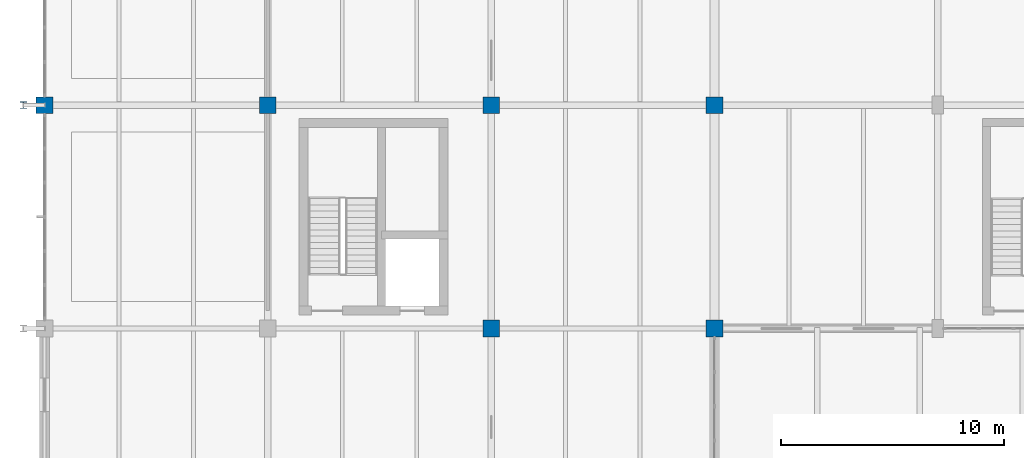
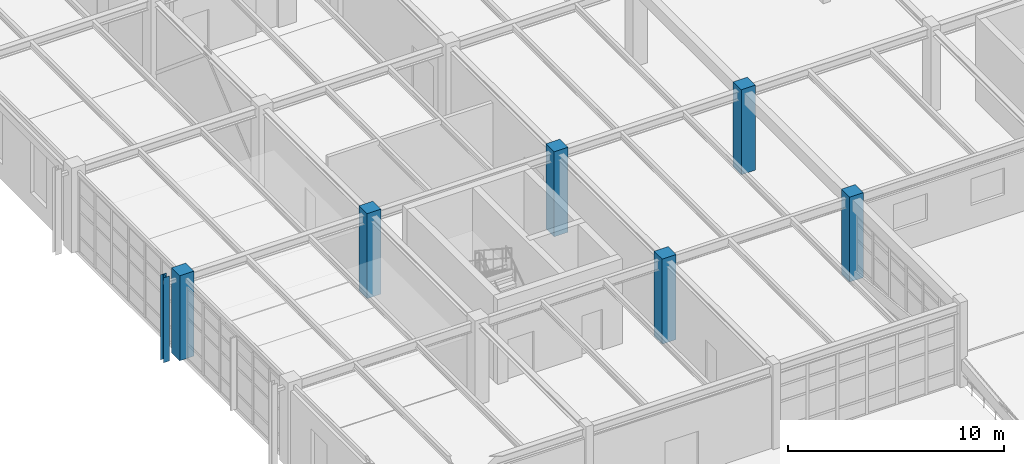
# One storey, part 2 of 139: 7 columns.
"""IFC4 building model written with IfcOpenShell, lengths in metres."""

from ifc_helpers import new_model, si_unit, direction, frame, origin, origin_2d, place, context, subcontext, project, spatial, rectangle, i_section, extrude, material, material_profile, profile_set, type_object, element, save


model = new_model("IFC4")

# Units and contexts
model_context = context("Model", 3, precision=1e-05, world=origin(), true_north=direction((0.0, 1.0)))
body_context = subcontext(model_context, "Body", "Model", "MODEL_VIEW")
ifc_project = project(units=[si_unit("LENGTHUNIT", "METRE"), si_unit("AREAUNIT", "SQUARE_METRE"), si_unit("VOLUMEUNIT", "CUBIC_METRE"), si_unit("PLANEANGLEUNIT", "RADIAN"), si_unit("MASSUNIT", "GRAM", prefix="KILO"), si_unit("THERMODYNAMICTEMPERATUREUNIT", "KELVIN"), si_unit("POWERUNIT", "WATT")], contexts=[model_context])

# Site, building, storey
site_placement = place(None, origin())
site = spatial("IfcSite", under=ifc_project, at=site_placement, CompositionType="ELEMENT")
building_placement = place(site_placement, origin())
building = spatial("IfcBuilding", under=site, at=building_placement, Name="Korenveer Ferry Terminal", CompositionType="ELEMENT")
storey_placement = place(building_placement, frame((0.0, 0.0, 5.39990234375)))
storey = spatial("IfcBuildingStorey", under=building, at=storey_placement, Name="L01", CompositionType="ELEMENT", Elevation=5.39990234375)

# Columns
ifc_material_1 = material(Name="Concrete C45/55", Category="concrete")
ifc_material_profile_1 = material_profile(ifc_material_1, rectangle(XDim=0.75, YDim=0.75, at=origin_2d()), Name="RC 750x750")
ifc_profile_set_1 = profile_set([ifc_material_profile_1], Name="Concrete C45/55")
column_type_1 = type_object("IfcColumnType", Name="STR-COL-RC750", PredefinedType="COLUMN", material=ifc_profile_set_1)
for number, where, z_axis, x_axis, name in (
    (1, (0.0, 30.0, 0.0), (0.0, 0.0, 1.0), (1.0, 0.0, 0.0), "Column COL-L01-X0-Y30"),
    (2, (10.0, 30.0, 0.0), (0.0, 0.0, 1.0), (1.0, 0.0, 0.0), "Column COL-L01-X10-Y30"),
    (3, (20.0, 20.0, 0.0), (0.0, 0.0, 1.0), (1.0, 0.0, 0.0), "Column COL-L01-X20-Y20"),
    (4, (20.0, 30.0, 0.0), (0.0, 0.0, 1.0), (1.0, 0.0, 0.0), "Column COL-L01-X20-Y30"),
    (5, (30.0, 20.0, 0.0), (0.0, 0.0, 1.0), (1.0, 0.0, 0.0), "Column COL-L01-X30-Y20"),
    (6, (30.0, 30.0, 0.0), (0.0, 0.0, 1.0), (1.0, 0.0, 0.0), "Column COL-L01-X30-Y30"),
):
    element("IfcColumn", number, at=place(storey_placement, frame(where, z_axis=z_axis, x_axis=x_axis)), inside=storey, type_object=column_type_1, Name=name, PredefinedType="COLUMN", context=body_context, shape_type="SweptSolid", body=[
        extrude(rectangle(XDim=0.75, YDim=0.75, at=origin_2d()), origin(), (0.0, 0.0, 1.0), 4.800048828125),
    ])
ifc_material_2 = material(Name="Steel S355", Category="steel")
ifc_material_profile_2 = material_profile(ifc_material_2, i_section(OverallWidth=0.300048828125, OverallDepth=0.2900390625, WebThickness=0.008544921875, FlangeThickness=0.013916015625, FilletRadius=0.027099609375, at=origin_2d()), Name="HEA 300")
ifc_profile_set_2 = profile_set([ifc_material_profile_2], Name="Steel S355")
column_type_2 = type_object("IfcColumnType", Name="STR-PIL-BRICK450", PredefinedType="PILASTER", material=ifc_profile_set_2)
column_placement = place(storey_placement, frame((-0.949951171875, 30.0, 0.0), z_axis=(0.0, 0.0, 1.0), x_axis=(1.0, 0.0, 0.0)))
element("IfcColumn", 7, at=column_placement, inside=storey, type_object=column_type_2, Name="Buttress pilaster 5", PredefinedType="PILASTER", context=body_context, shape_type="SweptSolid", body=[
    extrude(i_section(OverallWidth=0.300048828125, OverallDepth=0.2900390625, WebThickness=0.008544921875, FlangeThickness=0.013916015625, FilletRadius=0.027099609375, at=origin_2d()), origin(), (0.0, 0.0, 1.0), 4.800048828125),
])

save(model, "model.ifc")
